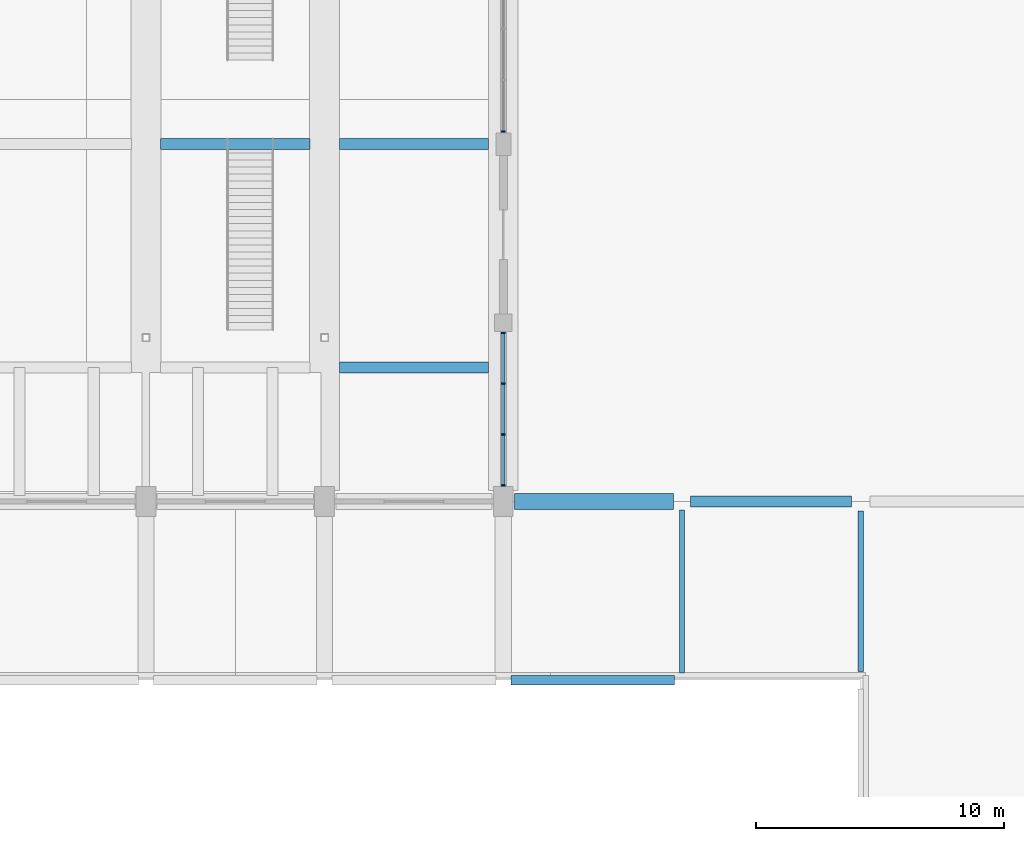
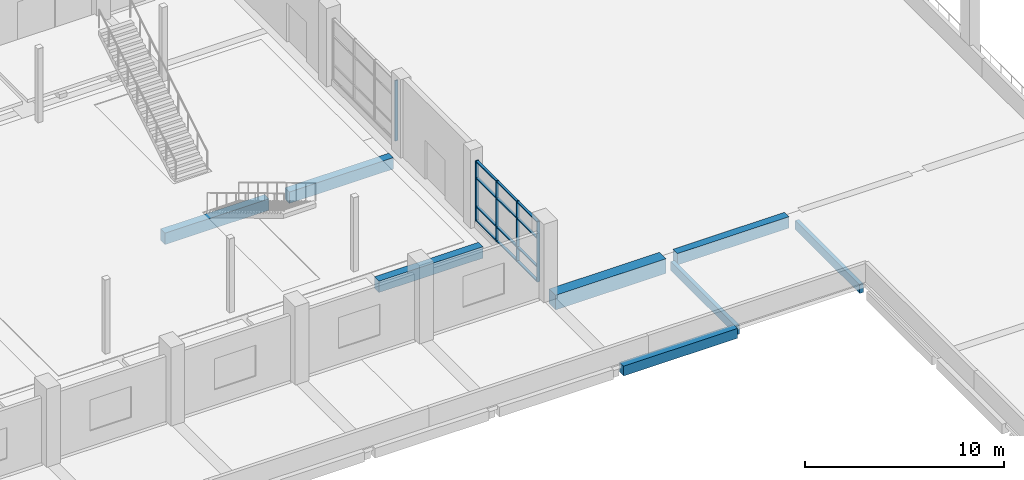
# One storey, part 36 of 82: 17 members, 8 beams, 2 elements without a shape of their own.
"""IFC4 building model written with IfcOpenShell, lengths in metres."""

from ifc_helpers import new_model, si_unit, direction, frame, origin, origin_2d, place, context, subcontext, project, spatial, rectangle, extrude, material, material_profile, profile_set, type_object, element, aggregate, save


model = new_model("IFC4")

# Units and contexts
model_context = context("Model", 3, precision=1e-05, world=origin(), true_north=direction((0.0, 1.0)))
body_context = subcontext(model_context, "Body", "Model", "MODEL_VIEW")
ifc_project = project(units=[si_unit("LENGTHUNIT", "METRE"), si_unit("AREAUNIT", "SQUARE_METRE"), si_unit("VOLUMEUNIT", "CUBIC_METRE"), si_unit("PLANEANGLEUNIT", "RADIAN"), si_unit("MASSUNIT", "GRAM", prefix="KILO")], contexts=[model_context])

# Site, building, storey
site_placement = place(None, origin())
site = spatial("IfcSite", under=ifc_project, at=site_placement, CompositionType="ELEMENT")
building_placement = place(site_placement, origin())
building = spatial("IfcBuilding", under=site, at=building_placement, Name="Sardonyx Promenade Sports Hall", CompositionType="ELEMENT")
storey_placement = place(building_placement, frame((0.0, 0.0, 11.199951171875)))
storey = spatial("IfcBuildingStorey", under=building, at=storey_placement, Name="L02", CompositionType="ELEMENT", Elevation=11.199951171875)

# Beams
ifc_material_1 = material(Name="Glulam GL28h", Category="wood")
ifc_material_profile_1 = material_profile(ifc_material_1, rectangle(XDim=0.219970703125, YDim=0.5400390625, at=origin_2d()))
ifc_profile_set_1 = profile_set([ifc_material_profile_1], Name="Glulam GL28h")
beam_type_1 = type_object("IfcBeamType", Name="Bm_Gallery_GL540", PredefinedType="BEAM", material=ifc_profile_set_1)
beam_1_placement = place(storey_placement, frame((86.39990234375, 65.10009765625, -0.510009765625), z_axis=(0.0, 1.0, 0.0), x_axis=(-1.0, 0.0, 0.0)))
element("IfcBeam", 1, at=beam_1_placement, inside=storey, type_object=beam_type_1, Name="Beam GLB2 L02 #625", PredefinedType="BEAM", context=body_context, shape_type="SweptSolid", body=[
    extrude(rectangle(XDim=0.219970703125, YDim=0.5400390625, at=origin_2d()), origin(), (0.0, 0.0, 1.0), 6.5498046875),
])
beam_2_placement = place(storey_placement, frame((93.60009765625, 65.14990234375, -0.510009765625), z_axis=(0.0, 1.0, 0.0), x_axis=(-1.0, 0.0, 0.0)))
element("IfcBeam", 2, at=beam_2_placement, inside=storey, type_object=beam_type_1, Name="Beam GLB2 L02 #635", PredefinedType="BEAM", context=body_context, shape_type="SweptSolid", body=[
    extrude(rectangle(XDim=0.219970703125, YDim=0.5400390625, at=origin_2d()), origin(), (0.0, 0.0, 1.0), 6.47509765625),
])
ifc_material_2 = material(Name="Concrete C50/60", Category="concrete")
ifc_material_profile_2 = material_profile(ifc_material_2, rectangle(XDim=0.64990234375, YDim=0.89990234375, at=origin_2d()))
ifc_profile_set_2 = profile_set([ifc_material_profile_2], Name="Concrete C50/60")
beam_type_2 = type_object("IfcBeamType", Name="Bm_Girder_RC900", PredefinedType="BEAM", material=ifc_profile_set_2)
beam_3_placement = place(storey_placement, frame((79.64990234375, 72.0, -0.449951171875), z_axis=(1.0, 0.0, 0.0), x_axis=(0.0, 1.0, 0.0)))
element("IfcBeam", 3, at=beam_3_placement, inside=storey, type_object=beam_type_2, Name="Beam BG03 L02 #558", PredefinedType="BEAM", context=body_context, shape_type="SweptSolid", body=[
    extrude(rectangle(XDim=0.64990234375, YDim=0.89990234375, at=origin_2d()), origin(), (0.0, 0.0, 1.0), 6.400146484375),
])
ifc_material_3 = material(Name="Concrete C40/50", Category="concrete")
ifc_material_profile_3 = material_profile(ifc_material_3, rectangle(XDim=0.449951171875, YDim=0.699951171875, at=origin_2d()))
ifc_profile_set_3 = profile_set([ifc_material_profile_3], Name="Concrete C40/50")
beam_type_3 = type_object("IfcBeamType", Name="Bm_Primary_RC700", PredefinedType="BEAM", material=ifc_profile_set_3)
for number, where, z_axis, x_axis, name in (
    (4, (65.389892578125, 86.39990234375, -0.349853515625), (1.0, 0.0, 0.0), (0.0, 1.0, 0.0), "Arena transverse beam #23"),
    (5, (72.590087890625, 77.39990234375, -0.349853515625), (1.0, 0.0, 0.0), (0.0, 1.0, 0.0), "Arena transverse beam #26"),
    (6, (72.590087890625, 86.39990234375, -0.349853515625), (1.0, 0.0, 0.0), (0.0, 1.0, 0.0), "Arena transverse beam #27"),
):
    element("IfcBeam", number, at=place(storey_placement, frame(where, z_axis=z_axis, x_axis=x_axis)), inside=storey, type_object=beam_type_3, Name=name, PredefinedType="BEAM", context=body_context, shape_type="SweptSolid", body=[
        extrude(rectangle(XDim=0.449951171875, YDim=0.699951171875, at=origin_2d()), origin(), (0.0, 0.0, 1.0), 6.02001953125),
    ])
beam_4_placement = place(storey_placement, frame((86.75, 72.0, -0.349853515625), z_axis=(1.0, 0.0, 0.0), x_axis=(0.0, 1.0, 0.0)))
element("IfcBeam", 7, at=beam_4_placement, inside=storey, type_object=beam_type_3, Name="Beam BG01 L02 #559", PredefinedType="BEAM", context=body_context, shape_type="SweptSolid", body=[
    extrude(rectangle(XDim=0.449951171875, YDim=0.699951171875, at=origin_2d()), origin(), (0.0, 0.0, 1.0), 6.47509765625),
])
ifc_material_4 = material(Name="Concrete C40/50", Category="concrete")
ifc_material_profile_4 = material_profile(ifc_material_4, rectangle(XDim=0.39990234375, YDim=0.60009765625, at=origin_2d()))
ifc_profile_set_4 = profile_set([ifc_material_profile_4], Name="Concrete C40/50")
beam_type_4 = type_object("IfcBeamType", Name="Bm_Spandrel_RC600", PredefinedType="SPANDREL", material=ifc_profile_set_4)
beam_5_placement = place(storey_placement, frame((79.5, 64.800048828125, -0.300048828125), z_axis=(1.0, 0.0, 0.0), x_axis=(0.0, 1.0, 0.0)))
element("IfcBeam", 8, at=beam_5_placement, inside=storey, type_object=beam_type_4, Name="Beam SPB1 L02 #546", PredefinedType="SPANDREL", context=body_context, shape_type="SweptSolid", body=[
    extrude(rectangle(XDim=0.39990234375, YDim=0.60009765625, at=origin_2d()), origin(), (0.0, 0.0, 1.0), 6.60009765625),
])

# Curtain wall, member
ifc_material_5 = material(Name="Aluminium 6063-T6", Category="aluminium")
curtain_wall_type = type_object("IfcCurtainWallType", Name="CW_South_L02_640", PredefinedType="USERDEFINED", material=ifc_material_5)
curtain_wall_1_placement = place(storey_placement, origin())
curtain_wall_1 = element("IfcCurtainWall", 9, at=curtain_wall_1_placement, inside=storey, type_object=curtain_wall_type, Name="Curtain wall CW01 cw:L02:148", ObjectType="CURTAIN WALL", PredefinedType="USERDEFINED")
ifc_material_6 = material(Name="Aluminium 6063-T6", Category="aluminium")
ifc_material_profile_5 = material_profile(ifc_material_6, rectangle(XDim=0.06494140625, YDim=0.175048828125, at=origin_2d()))
ifc_profile_set_5 = profile_set([ifc_material_profile_5], Name="Aluminium 6063-T6")
member_type_1 = type_object("IfcMemberType", Name="CW_Mull_175", PredefinedType="MULLION", material=ifc_profile_set_5)
member_1_placement = place(storey_placement, frame((79.199951171875, 86.902587890625, 0.400146484375), z_axis=(0.0, 0.0, 1.0), x_axis=(0.0, -1.0, 0.0)))
member_1 = element("IfcMember", 10, at=member_1_placement, type_object=member_type_1, Name="Mullion CM02 cw:L02:148 #4", PredefinedType="MULLION", context=body_context, shape_type="SweptSolid", body=[
    extrude(rectangle(XDim=0.06494140625, YDim=0.175048828125, at=origin_2d()), origin(), (0.0, 0.0, 1.0), 3.699951171875),
])
aggregate(curtain_wall_1, [member_1])

# Curtain wall, members
curtain_wall_2_placement = place(storey_placement, origin())
curtain_wall_2 = element("IfcCurtainWall", 11, at=curtain_wall_2_placement, inside=storey, type_object=curtain_wall_type, Name="Curtain wall CW01 cw:L02:149", ObjectType="CURTAIN WALL", PredefinedType="USERDEFINED")
member_2_placement = place(storey_placement, frame((79.199951171875, 78.797607421875, 0.400146484375), z_axis=(0.0, 0.0, 1.0), x_axis=(0.0, -1.0, 0.0)))
member_2 = element("IfcMember", 12, at=member_2_placement, type_object=member_type_1, Name="Mullion CM02 cw:L02:149 #1", PredefinedType="MULLION", context=body_context, shape_type="SweptSolid", body=[
    extrude(rectangle(XDim=0.06494140625, YDim=0.175048828125, at=origin_2d()), origin(), (0.0, 0.0, 1.0), 3.699951171875),
])
member_3_placement = place(storey_placement, frame((79.199951171875, 76.749267578125, 0.400146484375), z_axis=(0.0, 0.0, 1.0), x_axis=(0.0, -1.0, 0.0)))
member_3 = element("IfcMember", 13, at=member_3_placement, type_object=member_type_1, Name="Mullion CM02 cw:L02:149 #2", PredefinedType="MULLION", context=body_context, shape_type="SweptSolid", body=[
    extrude(rectangle(XDim=0.06494140625, YDim=0.175048828125, at=origin_2d()), origin(), (0.0, 0.0, 1.0), 3.699951171875),
])
member_4_placement = place(storey_placement, frame((79.199951171875, 74.700927734375, 0.400146484375), z_axis=(0.0, 0.0, 1.0), x_axis=(0.0, -1.0, 0.0)))
member_4 = element("IfcMember", 14, at=member_4_placement, type_object=member_type_1, Name="Mullion CM02 cw:L02:149 #3", PredefinedType="MULLION", context=body_context, shape_type="SweptSolid", body=[
    extrude(rectangle(XDim=0.06494140625, YDim=0.175048828125, at=origin_2d()), origin(), (0.0, 0.0, 1.0), 3.699951171875),
])
member_5_placement = place(storey_placement, frame((79.199951171875, 72.652587890625, 0.400146484375), z_axis=(0.0, 0.0, 1.0), x_axis=(0.0, -1.0, 0.0)))
member_5 = element("IfcMember", 15, at=member_5_placement, type_object=member_type_1, Name="Mullion CM02 cw:L02:149 #4", PredefinedType="MULLION", context=body_context, shape_type="SweptSolid", body=[
    extrude(rectangle(XDim=0.06494140625, YDim=0.175048828125, at=origin_2d()), origin(), (0.0, 0.0, 1.0), 3.699951171875),
])
ifc_material_7 = material(Name="Aluminium 6063-T6", Category="aluminium")
ifc_material_profile_6 = material_profile(ifc_material_7, rectangle(XDim=0.06494140625, YDim=0.139892578125, at=origin_2d()))
ifc_profile_set_6 = profile_set([ifc_material_profile_6], Name="Aluminium 6063-T6")
member_type_2 = type_object("IfcMemberType", Name="CW_Tran_140", PredefinedType="USERDEFINED", material=ifc_profile_set_6)
member_6_placement = place(storey_placement, frame((79.199951171875, 78.764892578125, 0.4326171875), z_axis=(0.0, -1.0, 0.0), x_axis=(0.0, 0.0, 1.0)))
member_6 = element("IfcMember", 16, at=member_6_placement, type_object=member_type_2, Name="Transom CT02 cw:L02:149 #1", ObjectType="TRANSOM", PredefinedType="USERDEFINED", context=body_context, shape_type="SweptSolid", body=[
    extrude(rectangle(XDim=0.06494140625, YDim=0.139892578125, at=origin_2d()), origin(), (0.0, 0.0, 1.0), 1.983154296875),
])
member_7_placement = place(storey_placement, frame((79.199951171875, 78.764892578125, 1.300048828125), z_axis=(0.0, -1.0, 0.0), x_axis=(0.0, 0.0, 1.0)))
member_7 = element("IfcMember", 17, at=member_7_placement, type_object=member_type_2, Name="Transom CT02 cw:L02:149 #2", ObjectType="TRANSOM", PredefinedType="USERDEFINED", context=body_context, shape_type="SweptSolid", body=[
    extrude(rectangle(XDim=0.06494140625, YDim=0.139892578125, at=origin_2d()), origin(), (0.0, 0.0, 1.0), 1.983154296875),
])
member_8_placement = place(storey_placement, frame((79.199951171875, 78.764892578125, 3.050048828125), z_axis=(0.0, -1.0, 0.0), x_axis=(0.0, 0.0, 1.0)))
member_8 = element("IfcMember", 18, at=member_8_placement, type_object=member_type_2, Name="Transom CT02 cw:L02:149 #3", ObjectType="TRANSOM", PredefinedType="USERDEFINED", context=body_context, shape_type="SweptSolid", body=[
    extrude(rectangle(XDim=0.06494140625, YDim=0.139892578125, at=origin_2d()), origin(), (0.0, 0.0, 1.0), 1.983154296875),
])
member_9_placement = place(storey_placement, frame((79.199951171875, 78.764892578125, 4.067626953125), z_axis=(0.0, -1.0, 0.0), x_axis=(0.0, 0.0, 1.0)))
member_9 = element("IfcMember", 19, at=member_9_placement, type_object=member_type_2, Name="Transom CT02 cw:L02:149 #4", ObjectType="TRANSOM", PredefinedType="USERDEFINED", context=body_context, shape_type="SweptSolid", body=[
    extrude(rectangle(XDim=0.06494140625, YDim=0.139892578125, at=origin_2d()), origin(), (0.0, 0.0, 1.0), 1.983154296875),
])
member_10_placement = place(storey_placement, frame((79.199951171875, 76.716552734375, 0.4326171875), z_axis=(0.0, -1.0, 0.0), x_axis=(0.0, 0.0, 1.0)))
member_10 = element("IfcMember", 20, at=member_10_placement, type_object=member_type_2, Name="Transom CT02 cw:L02:149 #5", ObjectType="TRANSOM", PredefinedType="USERDEFINED", context=body_context, shape_type="SweptSolid", body=[
    extrude(rectangle(XDim=0.06494140625, YDim=0.139892578125, at=origin_2d()), origin(), (0.0, 0.0, 1.0), 1.983154296875),
])
member_11_placement = place(storey_placement, frame((79.199951171875, 76.716552734375, 1.300048828125), z_axis=(0.0, -1.0, 0.0), x_axis=(0.0, 0.0, 1.0)))
member_11 = element("IfcMember", 21, at=member_11_placement, type_object=member_type_2, Name="Transom CT02 cw:L02:149 #6", ObjectType="TRANSOM", PredefinedType="USERDEFINED", context=body_context, shape_type="SweptSolid", body=[
    extrude(rectangle(XDim=0.06494140625, YDim=0.139892578125, at=origin_2d()), origin(), (0.0, 0.0, 1.0), 1.983154296875),
])
member_12_placement = place(storey_placement, frame((79.199951171875, 76.716552734375, 3.050048828125), z_axis=(0.0, -1.0, 0.0), x_axis=(0.0, 0.0, 1.0)))
member_12 = element("IfcMember", 22, at=member_12_placement, type_object=member_type_2, Name="Transom CT02 cw:L02:149 #7", ObjectType="TRANSOM", PredefinedType="USERDEFINED", context=body_context, shape_type="SweptSolid", body=[
    extrude(rectangle(XDim=0.06494140625, YDim=0.139892578125, at=origin_2d()), origin(), (0.0, 0.0, 1.0), 1.983154296875),
])
member_13_placement = place(storey_placement, frame((79.199951171875, 76.716552734375, 4.067626953125), z_axis=(0.0, -1.0, 0.0), x_axis=(0.0, 0.0, 1.0)))
member_13 = element("IfcMember", 23, at=member_13_placement, type_object=member_type_2, Name="Transom CT02 cw:L02:149 #8", ObjectType="TRANSOM", PredefinedType="USERDEFINED", context=body_context, shape_type="SweptSolid", body=[
    extrude(rectangle(XDim=0.06494140625, YDim=0.139892578125, at=origin_2d()), origin(), (0.0, 0.0, 1.0), 1.983154296875),
])
member_14_placement = place(storey_placement, frame((79.199951171875, 74.668212890625, 0.4326171875), z_axis=(0.0, -1.0, 0.0), x_axis=(0.0, 0.0, 1.0)))
member_14 = element("IfcMember", 24, at=member_14_placement, type_object=member_type_2, Name="Transom CT02 cw:L02:149 #9", ObjectType="TRANSOM", PredefinedType="USERDEFINED", context=body_context, shape_type="SweptSolid", body=[
    extrude(rectangle(XDim=0.06494140625, YDim=0.139892578125, at=origin_2d()), origin(), (0.0, 0.0, 1.0), 1.983154296875),
])
member_15_placement = place(storey_placement, frame((79.199951171875, 74.668212890625, 1.300048828125), z_axis=(0.0, -1.0, 0.0), x_axis=(0.0, 0.0, 1.0)))
member_15 = element("IfcMember", 25, at=member_15_placement, type_object=member_type_2, Name="Transom CT02 cw:L02:149 #10", ObjectType="TRANSOM", PredefinedType="USERDEFINED", context=body_context, shape_type="SweptSolid", body=[
    extrude(rectangle(XDim=0.06494140625, YDim=0.139892578125, at=origin_2d()), origin(), (0.0, 0.0, 1.0), 1.983154296875),
])
member_16_placement = place(storey_placement, frame((79.199951171875, 74.668212890625, 3.050048828125), z_axis=(0.0, -1.0, 0.0), x_axis=(0.0, 0.0, 1.0)))
member_16 = element("IfcMember", 26, at=member_16_placement, type_object=member_type_2, Name="Transom CT02 cw:L02:149 #11", ObjectType="TRANSOM", PredefinedType="USERDEFINED", context=body_context, shape_type="SweptSolid", body=[
    extrude(rectangle(XDim=0.06494140625, YDim=0.139892578125, at=origin_2d()), origin(), (0.0, 0.0, 1.0), 1.983154296875),
])
member_17_placement = place(storey_placement, frame((79.199951171875, 74.668212890625, 4.067626953125), z_axis=(0.0, -1.0, 0.0), x_axis=(0.0, 0.0, 1.0)))
member_17 = element("IfcMember", 27, at=member_17_placement, type_object=member_type_2, Name="Transom CT02 cw:L02:149 #12", ObjectType="TRANSOM", PredefinedType="USERDEFINED", context=body_context, shape_type="SweptSolid", body=[
    extrude(rectangle(XDim=0.06494140625, YDim=0.139892578125, at=origin_2d()), origin(), (0.0, 0.0, 1.0), 1.983154296875),
])
aggregate(curtain_wall_2, [member_2, member_3, member_4, member_5, member_6, member_7, member_8, member_9, member_10, member_11, member_12, member_13, member_14, member_15, member_16, member_17])

save(model, "model.ifc")
